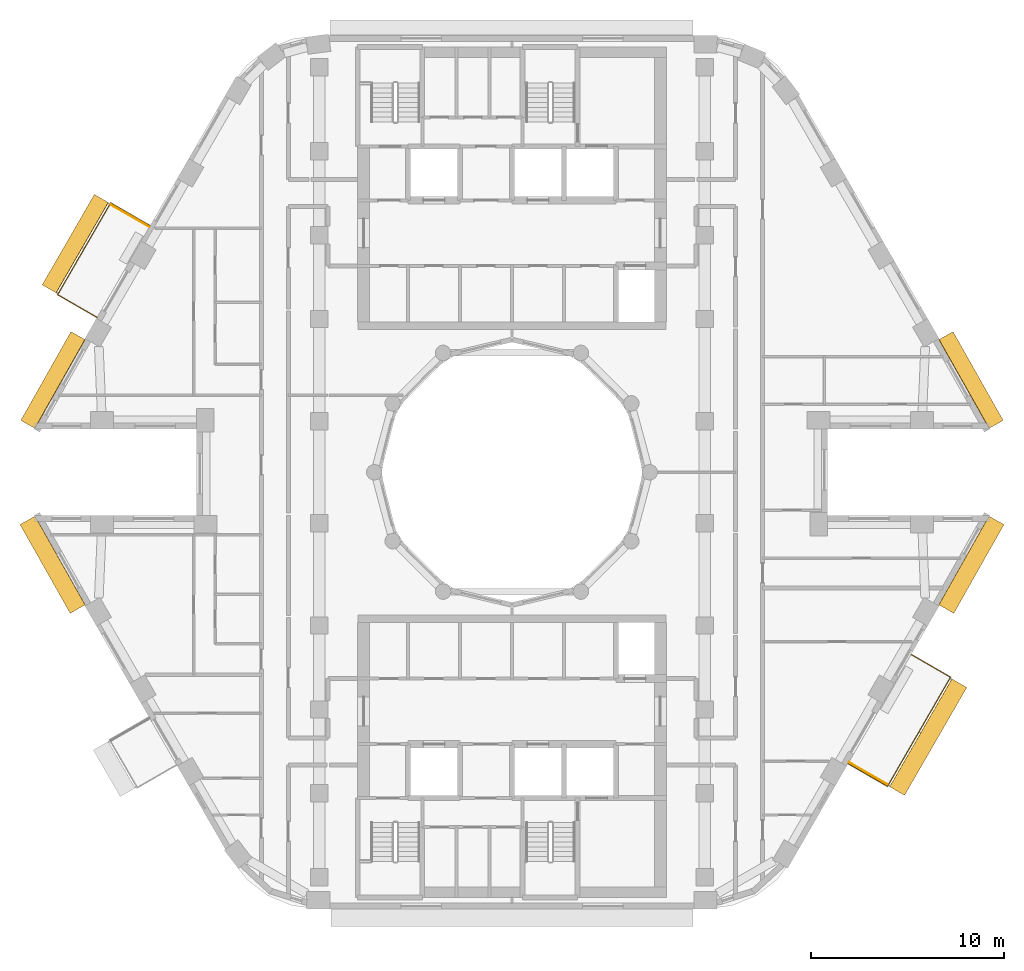
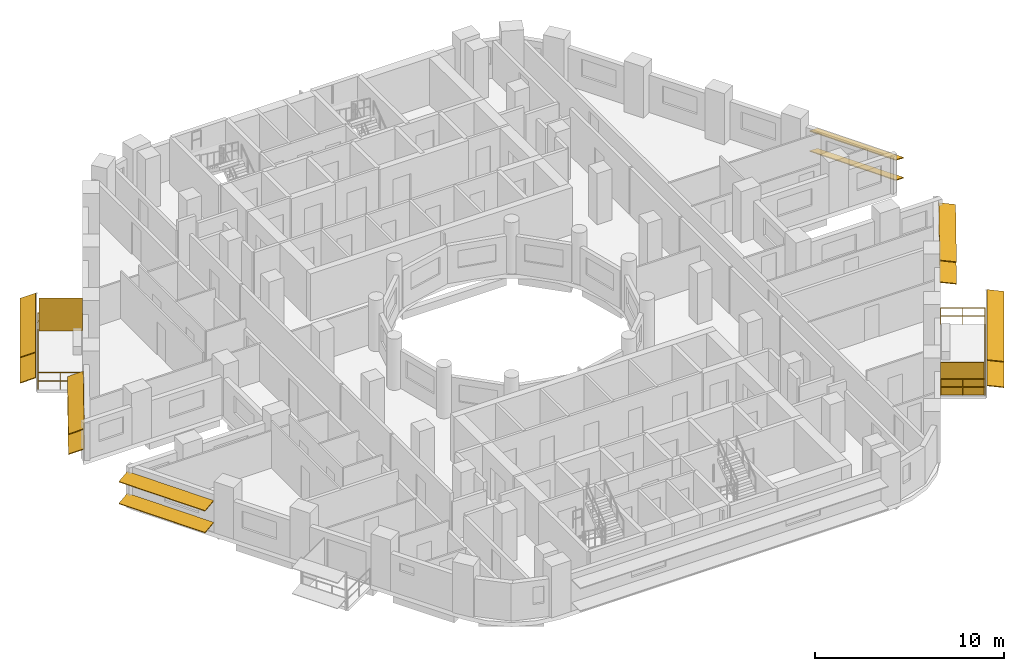
# One storey, part 16 of 17: 14 shading devices, 2 railings.
"""IFC4 building model written with IfcOpenShell, lengths in metres."""

from ifc_helpers import new_model, si_unit, direction, frame, origin, origin_2d, place, context, subcontext, project, spatial, rectangle, circle, extrude, material, layer, layer_set, material_profile, profile_set, type_object, element, save


model = new_model("IFC4")

# Units and contexts
model_context = context("Model", 3, precision=1e-05, world=origin(), true_north=direction((0.0, 1.0)))
body_context = subcontext(model_context, "Body", "Model", "MODEL_VIEW")
ifc_project = project(units=[si_unit("LENGTHUNIT", "METRE"), si_unit("AREAUNIT", "SQUARE_METRE"), si_unit("VOLUMEUNIT", "CUBIC_METRE"), si_unit("PLANEANGLEUNIT", "RADIAN"), si_unit("MASSUNIT", "GRAM", prefix="KILO")], contexts=[model_context])

# Site, building, storey
site_placement = place(None, origin())
site = spatial("IfcSite", under=ifc_project, at=site_placement, CompositionType="ELEMENT")
building_placement = place(site_placement, origin())
building = spatial("IfcBuilding", under=site, at=building_placement, Name="Nakaniwa Court", CompositionType="ELEMENT")
storey_placement = place(building_placement, frame((0.0, 0.0, 209.699951171875)))
storey = spatial("IfcBuildingStorey", under=building, at=storey_placement, Name="L55", CompositionType="ELEMENT", Elevation=209.699951171875)

# Railings
ifc_material_1 = material(Name="Black powder-coated steel flat bar balustrade S275", Category="steel")
railing_type = type_object("IfcRailingType", Name="Black metal balcony guard 1100", PredefinedType="GUARDRAIL", material=ifc_material_1)
railing_1_placement = place(storey_placement, frame((61.22900390625, 92.787841796875, -0.050048828125)))
element("IfcRailing", 1, at=railing_1_placement, inside=storey, type_object=railing_type, Name="L55 balcony guard 01", PredefinedType="GUARDRAIL", context=body_context, shape_type="SweptSolid", body=[
    extrude(circle(Radius=0.02392578125, at=origin_2d()), frame((0.0, 0.0, 1.076171875), z_axis=(-0.865980564943, 0.500077655111, 0.0), x_axis=(-0.500077655111, -0.865980564943, 0.0)), (0.0, 0.0, 1.0), 2.35986328125),
    extrude(circle(Radius=0.02392578125, at=origin_2d()), frame((0.0, 0.0, 0.550048828125), z_axis=(-0.865980564943, 0.500077655111, 0.0), x_axis=(-0.500077655111, -0.865980564943, 0.0)), (0.0, 0.0, 1.0), 2.35986328125),
    extrude(circle(Radius=0.02392578125, at=origin_2d()), frame((-2.043701171875, 1.18017578125, 1.076171875), z_axis=(-0.500004459798, -0.866022828903, 0.0), x_axis=(0.866022828903, -0.500004459798, 0.0)), (0.0, 0.0, 1.0), 5.49560546875),
    extrude(circle(Radius=0.02392578125, at=origin_2d()), frame((-2.043701171875, 1.18017578125, 0.550048828125), z_axis=(-0.500004459798, -0.866022828903, 0.0), x_axis=(0.866022828903, -0.500004459798, 0.0)), (0.0, 0.0, 1.0), 5.49560546875),
    extrude(circle(Radius=0.02392578125, at=origin_2d()), frame((-4.79150390625, -3.5791015625, 1.076171875), z_axis=(0.866051224006, -0.499955275397, 0.0), x_axis=(0.499955275397, 0.866051224006, 0.0)), (0.0, 0.0, 1.0), 2.360107421875),
    extrude(circle(Radius=0.02392578125, at=origin_2d()), frame((-4.79150390625, -3.5791015625, 0.550048828125), z_axis=(0.866051224006, -0.499955275397, 0.0), x_axis=(0.499955275397, 0.866051224006, 0.0)), (0.0, 0.0, 1.0), 2.360107421875),
    extrude(circle(Radius=0.02099609375, at=origin_2d()), origin(), (0.0, 0.0, 1.0), 1.052001953125),
    extrude(circle(Radius=0.02099609375, at=origin_2d()), frame((-1.02197265625, 0.590087890625, 0.0)), (0.0, 0.0, 1.0), 1.052001953125),
    extrude(circle(Radius=0.02099609375, at=origin_2d()), frame((-2.043701171875, 1.18017578125, 0.0)), (0.0, 0.0, 1.0), 1.052001953125),
    extrude(circle(Radius=0.02099609375, at=origin_2d()), frame((-2.59326171875, 0.228271484375, 0.0)), (0.0, 0.0, 1.0), 1.052001953125),
    extrude(circle(Radius=0.02099609375, at=origin_2d()), frame((-3.142822265625, -0.7236328125, 0.0)), (0.0, 0.0, 1.0), 1.052001953125),
    extrude(circle(Radius=0.02099609375, at=origin_2d()), frame((-3.6923828125, -1.67529296875, 0.0)), (0.0, 0.0, 1.0), 1.052001953125),
    extrude(circle(Radius=0.02099609375, at=origin_2d()), frame((-4.241943359375, -2.627197265625, 0.0)), (0.0, 0.0, 1.0), 1.052001953125),
    extrude(circle(Radius=0.02099609375, at=origin_2d()), frame((-4.79150390625, -3.5791015625, 0.0)), (0.0, 0.0, 1.0), 1.052001953125),
    extrude(circle(Radius=0.02099609375, at=origin_2d()), frame((-3.76953125, -4.1689453125, 0.0)), (0.0, 0.0, 1.0), 1.052001953125),
    extrude(circle(Radius=0.02099609375, at=origin_2d()), frame((-2.74755859375, -4.759033203125, 0.0)), (0.0, 0.0, 1.0), 1.052001953125),
])
railing_2_placement = place(storey_placement, frame((97.429443359375, 64.888427734375, -0.050048828125)))
element("IfcRailing", 2, at=railing_2_placement, inside=storey, type_object=railing_type, Name="L55 balcony guard 03", PredefinedType="GUARDRAIL", context=body_context, shape_type="SweptSolid", body=[
    extrude(circle(Radius=0.02392578125, at=origin_2d()), frame((0.0, 0.0, 1.076171875), z_axis=(0.866025363618, -0.50000006957, 0.0), x_axis=(0.50000006957, 0.866025363618, 0.0)), (0.0, 0.0, 1.0), 2.35986328125),
    extrude(circle(Radius=0.02392578125, at=origin_2d()), frame((0.0, 0.0, 0.550048828125), z_axis=(0.866025363618, -0.50000006957, 0.0), x_axis=(0.50000006957, 0.866025363618, 0.0)), (0.0, 0.0, 1.0), 2.35986328125),
    extrude(circle(Radius=0.02392578125, at=origin_2d()), frame((2.043701171875, -1.179931640625, 1.076171875), z_axis=(0.500021928932, 0.866012742739, 0.0), x_axis=(-0.866012742739, 0.500021928932, 0.0)), (0.0, 0.0, 1.0), 6.539306640625),
    extrude(circle(Radius=0.02392578125, at=origin_2d()), frame((2.043701171875, -1.179931640625, 0.550048828125), z_axis=(0.500021928932, 0.866012742739, 0.0), x_axis=(-0.866012742739, 0.500021928932, 0.0)), (0.0, 0.0, 1.0), 6.539306640625),
    extrude(circle(Radius=0.02392578125, at=origin_2d()), frame((5.3134765625, 4.483154296875, 1.076171875), z_axis=(-0.865980564943, 0.500077655111, 0.0), x_axis=(-0.500077655111, -0.865980564943, 0.0)), (0.0, 0.0, 1.0), 2.35986328125),
    extrude(circle(Radius=0.02392578125, at=origin_2d()), frame((5.3134765625, 4.483154296875, 0.550048828125), z_axis=(-0.865980564943, 0.500077655111, 0.0), x_axis=(-0.500077655111, -0.865980564943, 0.0)), (0.0, 0.0, 1.0), 2.35986328125),
    extrude(circle(Radius=0.02099609375, at=origin_2d()), origin(), (0.0, 0.0, 1.0), 1.052001953125),
    extrude(circle(Radius=0.02099609375, at=origin_2d()), frame((1.02197265625, -0.58984375, 0.0)), (0.0, 0.0, 1.0), 1.052001953125),
    extrude(circle(Radius=0.02099609375, at=origin_2d()), frame((2.043701171875, -1.179931640625, 0.0)), (0.0, 0.0, 1.0), 1.052001953125),
    extrude(circle(Radius=0.02099609375, at=origin_2d()), frame((2.588623046875, -0.236083984375, 0.0)), (0.0, 0.0, 1.0), 1.052001953125),
    extrude(circle(Radius=0.02099609375, at=origin_2d()), frame((3.133544921875, 0.707763671875, 0.0)), (0.0, 0.0, 1.0), 1.052001953125),
    extrude(circle(Radius=0.02099609375, at=origin_2d()), frame((3.6787109375, 1.651611328125, 0.0)), (0.0, 0.0, 1.0), 1.052001953125),
    extrude(circle(Radius=0.02099609375, at=origin_2d()), frame((4.2236328125, 2.595458984375, 0.0)), (0.0, 0.0, 1.0), 1.052001953125),
    extrude(circle(Radius=0.02099609375, at=origin_2d()), frame((4.7685546875, 3.539306640625, 0.0)), (0.0, 0.0, 1.0), 1.052001953125),
    extrude(circle(Radius=0.02099609375, at=origin_2d()), frame((5.3134765625, 4.483154296875, 0.0)), (0.0, 0.0, 1.0), 1.052001953125),
    extrude(circle(Radius=0.02099609375, at=origin_2d()), frame((4.29150390625, 5.0732421875, 0.0)), (0.0, 0.0, 1.0), 1.052001953125),
    extrude(circle(Radius=0.02099609375, at=origin_2d()), frame((3.269775390625, 5.663330078125, 0.0)), (0.0, 0.0, 1.0), 1.052001953125),
])

# Shading devices
ifc_material_2 = material(Name="Black powder-coated aluminium slat screen", Category="aluminium")
ifc_layer = layer(ifc_material_2, 0.0400390625)
ifc_layer_set = layer_set([ifc_layer], Name="Black powder-coated aluminium slat screen")
shading_device_type_1 = type_object("IfcShadingDeviceType", Name="Koshi screen black metal", PredefinedType="USERDEFINED", material=ifc_layer_set)
for number, where, z_axis, x_axis, name in (
    (3, (60.188720703125, 93.296142578125, -0.050048828125), (0.0, 0.0, 1.0), (-0.499986396443, -0.866033257659, 0.0), "L55 balcony SCREEN 01 W"),
    (4, (98.469482421875, 64.38037109375, -0.050048828125), (0.0, 0.0, 1.0), (0.500016626402, 0.866015804314, 0.0), "L55 balcony SCREEN 03 W"),
):
    element("IfcShadingDevice", number, at=place(storey_placement, frame(where, z_axis=z_axis, x_axis=x_axis)), inside=storey, type_object=shading_device_type_1, Name=name, ObjectType="KOSHI SCREEN", PredefinedType="USERDEFINED", context=body_context, shape_type="SweptSolid", body=[
        extrude(rectangle(XDim=0.0400390625, YDim=2.31005859375, at=origin_2d()), origin(), (0.0, 0.0, 1.0), 2.10009765625),
    ])
ifc_material_3 = material(Name="Perforated charcoal ceramic louvre blade")
ifc_material_profile = material_profile(ifc_material_3, rectangle(XDim=0.89990234375, YDim=0.050048828125, at=origin_2d()), Name="Perforated ceramic louvre blade")
ifc_profile_set = profile_set([ifc_material_profile], Name="Perforated charcoal ceramic louvre blade")
shading_device_type_2 = type_object("IfcShadingDeviceType", Name="Perforated ceramic louvre blade", PredefinedType="JALOUSIE", material=ifc_profile_set)
for number, where, z_axis, x_axis, name in (
    (5, (58.710205078125, 94.19580078125, 0.5), (-0.499989134974, -0.866031676619, 0.0), (0.800108940535, -0.46192972828, 0.382683432365), "L55 perforated ceramic louvre blade 01 1"),
    (6, (58.710205078125, 94.19580078125, 2.150146484375), (-0.499989134974, -0.866031676619, 0.0), (0.800108940535, -0.46192972828, 0.382683432365), "L55 perforated ceramic louvre blade 01 2"),
):
    element("IfcShadingDevice", number, at=place(storey_placement, frame(where, z_axis=z_axis, x_axis=x_axis)), inside=storey, type_object=shading_device_type_2, Name=name, PredefinedType="JALOUSIE", context=body_context, shape_type="SweptSolid", body=[
        extrude(rectangle(XDim=0.89990234375, YDim=0.050048828125, at=origin_2d()), origin(), (0.0, 0.0, 1.0), 5.4150390625),
    ])
for number, where, z_axis, x_axis, name in (
    (7, (99.968994140625, 63.468505859375, 0.5), (0.500021278789, 0.866013118121, 0.0), (-0.858604255843, 0.495743527433, 0.13052619222), "L55 perforated ceramic louvre blade 03 1"),
    (8, (99.968994140625, 63.468505859375, 2.150146484375), (0.500021278789, 0.866013118121, 0.0), (-0.858604255843, 0.495743527433, 0.13052619222), "L55 perforated ceramic louvre blade 03 2"),
):
    element("IfcShadingDevice", number, at=place(storey_placement, frame(where, z_axis=z_axis, x_axis=x_axis)), inside=storey, type_object=shading_device_type_2, Name=name, PredefinedType="JALOUSIE", context=body_context, shape_type="SweptSolid", body=[
        extrude(rectangle(XDim=0.89990234375, YDim=0.050048828125, at=origin_2d()), origin(), (0.0, 0.0, 1.0), 6.459228515625),
    ])
for number, where, z_axis, x_axis, name in (
    (9, (105.103759765625, 82.480224609375, 0.550048828125), (-0.492005517921, 0.870592080331, 0.0), (-0.804902454764, -0.454881750109, 0.38107037635), "L55 perforated ceramic louvre blade w02 1"),
    (10, (105.103759765625, 82.480224609375, 1.845458984375), (-0.492005517921, 0.870592080331, 0.0), (-0.804902454764, -0.454881750109, 0.38107037635), "L55 perforated ceramic louvre blade w02 2"),
    (11, (57.497314453125, 87.082763671875, 0.550048828125), (-0.492005517921, -0.870592080331, 0.0), (0.804902454764, -0.454881750109, 0.38107037635), "L55 perforated ceramic louvre blade w14 1"),
    (12, (57.497314453125, 87.082763671875, 1.845458984375), (-0.492005517921, -0.870592080331, 0.0), (0.804902454764, -0.454881750109, 0.38107037635), "L55 perforated ceramic louvre blade w14 2"),
):
    element("IfcShadingDevice", number, at=place(storey_placement, frame(where, z_axis=z_axis, x_axis=x_axis)), inside=storey, type_object=shading_device_type_2, Name=name, PredefinedType="JALOUSIE", context=body_context, shape_type="SweptSolid", body=[
        extrude(rectangle(XDim=0.89990234375, YDim=0.050048828125, at=origin_2d()), origin(), (0.0, 0.0, 1.0), 5.28662109375),
    ])
for number, where, z_axis, x_axis, name in (
    (13, (54.87548828125, 77.508056640625, 0.550048828125), (0.492040518232, -0.870572299363, 0.0), (0.862924792041, 0.487718208105, 0.132256390257), "L55 perforated ceramic louvre blade w20 1"),
    (14, (54.87548828125, 77.508056640625, 1.955810546875), (0.492040518232, -0.870572299363, 0.0), (0.862924792041, 0.487718208105, 0.132256390257), "L55 perforated ceramic louvre blade w20 2"),
    (15, (102.523193359375, 72.905517578125, 0.550048828125), (0.492040518232, 0.870572299363, 0.0), (-0.862924792041, 0.487718208105, 0.132256390257), "L55 perforated ceramic louvre blade w32 1"),
    (16, (102.523193359375, 72.905517578125, 1.955810546875), (0.492040518232, 0.870572299363, 0.0), (-0.862924792041, 0.487718208105, 0.132256390257), "L55 perforated ceramic louvre blade w32 2"),
):
    element("IfcShadingDevice", number, at=place(storey_placement, frame(where, z_axis=z_axis, x_axis=x_axis)), inside=storey, type_object=shading_device_type_2, Name=name, PredefinedType="JALOUSIE", context=body_context, shape_type="SweptSolid", body=[
        extrude(rectangle(XDim=0.89990234375, YDim=0.050048828125, at=origin_2d()), origin(), (0.0, 0.0, 1.0), 5.286865234375),
    ])

save(model, "model.ifc")
